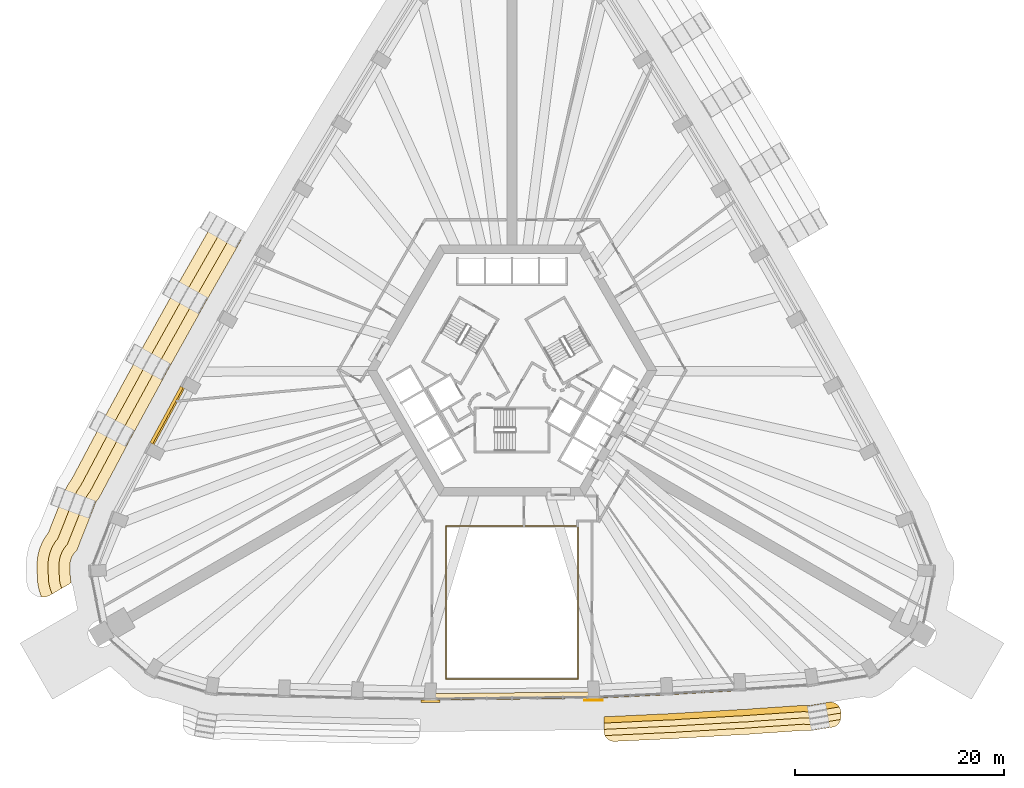
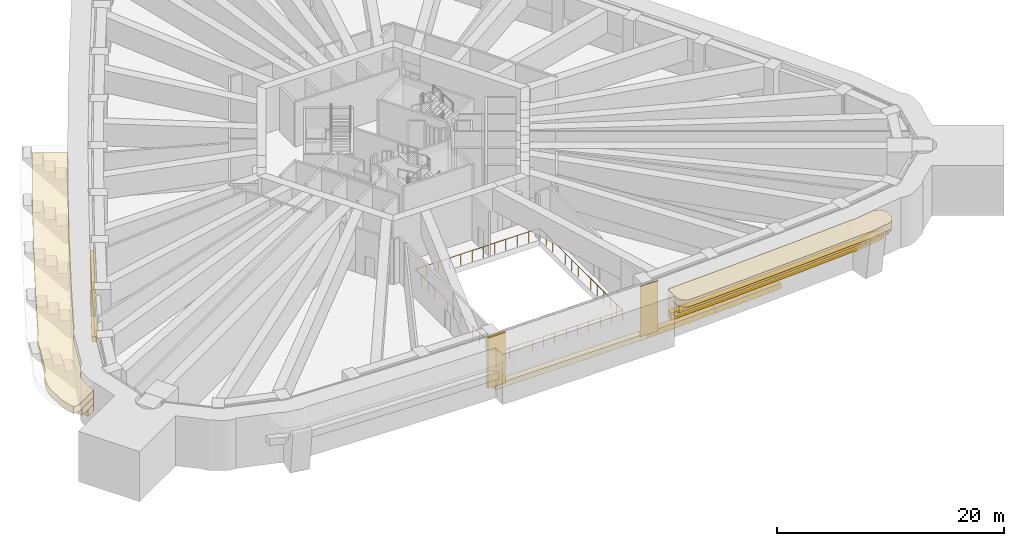
# One storey, part 17 of 22: 13 coverings, 1 railing, 1 shading device.
"""IFC4 building model written with IfcOpenShell, lengths in metres."""

from ifc_helpers import new_model, si_unit, direction, frame, origin, origin_2d, place, context, subcontext, project, spatial, polyline, rectangle, circle, outline, extrude, material, layer, layer_set, type_object, element, save


model = new_model("IFC4")

# Units and contexts
model_context = context("Model", 3, precision=1e-05, world=origin(), true_north=direction((0.0, 1.0)))
body_context = subcontext(model_context, "Body", "Model", "MODEL_VIEW")
ifc_project = project(units=[si_unit("LENGTHUNIT", "METRE"), si_unit("AREAUNIT", "SQUARE_METRE"), si_unit("VOLUMEUNIT", "CUBIC_METRE"), si_unit("PLANEANGLEUNIT", "RADIAN"), si_unit("MASSUNIT", "GRAM", prefix="KILO")], contexts=[model_context])

# Site, building, storey
site_placement = place(None, origin())
site = spatial("IfcSite", under=ifc_project, at=site_placement, CompositionType="ELEMENT")
building_placement = place(site_placement, origin())
building = spatial("IfcBuilding", under=site, at=building_placement, Name="Entoto Arch Interchange Tower", CompositionType="ELEMENT")
storey_placement = place(building_placement, frame((0.0, 0.0, 132.800048828125)))
storey = spatial("IfcBuildingStorey", under=building, at=storey_placement, Name="L29", CompositionType="ELEMENT", Elevation=132.800048828125)

# Railing
ifc_material_1 = material(Name="Stainless steel 1.4301", Category="steel")
railing_type = type_object("IfcRailingType", Name="ATRIUM GUARD 1200 STEEL AND GLASS", PredefinedType="GUARDRAIL", material=ifc_material_1)
railing_placement = place(storey_placement, frame((6.320068359375, -26.971923828125, 0.0)))
element("IfcRailing", 1, at=railing_placement, inside=storey, type_object=railing_type, Name="Atrium guard L29", PredefinedType="GUARDRAIL", context=body_context, shape_type="SweptSolid", body=[
    extrude(circle(Radius=0.02392578125, at=origin_2d()), frame((0.0, 0.0, 1.17578125), z_axis=(-1.0, 0.0, 0.0), x_axis=(0.0, -1.0, 0.0)), (0.0, 0.0, 1.0), 12.64013671875),
    extrude(circle(Radius=0.02392578125, at=origin_2d()), frame((-12.64013671875, 0.0, 1.17578125), z_axis=(0.0, 1.0, 0.0), x_axis=(-1.0, 0.0, 0.0)), (0.0, 0.0, 1.0), 14.592041015625),
    extrude(circle(Radius=0.02392578125, at=origin_2d()), frame((-12.64013671875, 14.592041015625, 1.17578125), z_axis=(1.0, 0.0, 0.0), x_axis=(0.0, 1.0, 0.0)), (0.0, 0.0, 1.0), 12.64013671875),
    extrude(circle(Radius=0.02392578125, at=origin_2d()), frame((0.0, 14.592041015625, 1.17578125), z_axis=(0.0, -1.0, 0.0), x_axis=(1.0, 0.0, 0.0)), (0.0, 0.0, 1.0), 14.592041015625),
    extrude(circle(Radius=0.02099609375, at=origin_2d()), origin(), (0.0, 0.0, 1.0), 1.15185546875),
    extrude(circle(Radius=0.02099609375, at=origin_2d()), frame((-1.149169921875, 0.0, 0.0)), (0.0, 0.0, 1.0), 1.15185546875),
    extrude(circle(Radius=0.02099609375, at=origin_2d()), frame((-2.298095703125, 0.0, 0.0)), (0.0, 0.0, 1.0), 1.15185546875),
    extrude(circle(Radius=0.02099609375, at=origin_2d()), frame((-3.447265625, 0.0, 0.0)), (0.0, 0.0, 1.0), 1.15185546875),
    extrude(circle(Radius=0.02099609375, at=origin_2d()), frame((-4.596435546875, 0.0, 0.0)), (0.0, 0.0, 1.0), 1.15185546875),
    extrude(circle(Radius=0.02099609375, at=origin_2d()), frame((-5.74560546875, 0.0, 0.0)), (0.0, 0.0, 1.0), 1.15185546875),
    extrude(circle(Radius=0.02099609375, at=origin_2d()), frame((-6.89453125, 0.0, 0.0)), (0.0, 0.0, 1.0), 1.15185546875),
    extrude(circle(Radius=0.02099609375, at=origin_2d()), frame((-8.043701171875, 0.0, 0.0)), (0.0, 0.0, 1.0), 1.15185546875),
    extrude(circle(Radius=0.02099609375, at=origin_2d()), frame((-9.19287109375, 0.0, 0.0)), (0.0, 0.0, 1.0), 1.15185546875),
    extrude(circle(Radius=0.02099609375, at=origin_2d()), frame((-10.342041015625, 0.0, 0.0)), (0.0, 0.0, 1.0), 1.15185546875),
    extrude(circle(Radius=0.02099609375, at=origin_2d()), frame((-11.490966796875, 0.0, 0.0)), (0.0, 0.0, 1.0), 1.15185546875),
    extrude(circle(Radius=0.02099609375, at=origin_2d()), frame((-12.64013671875, 0.0, 0.0)), (0.0, 0.0, 1.0), 1.15185546875),
    extrude(circle(Radius=0.02099609375, at=origin_2d()), frame((-12.64013671875, 1.12255859375, 0.0)), (0.0, 0.0, 1.0), 1.15185546875),
    extrude(circle(Radius=0.02099609375, at=origin_2d()), frame((-12.64013671875, 2.244873046875, 0.0)), (0.0, 0.0, 1.0), 1.15185546875),
    extrude(circle(Radius=0.02099609375, at=origin_2d()), frame((-12.64013671875, 3.367431640625, 0.0)), (0.0, 0.0, 1.0), 1.15185546875),
    extrude(circle(Radius=0.02099609375, at=origin_2d()), frame((-12.64013671875, 4.48974609375, 0.0)), (0.0, 0.0, 1.0), 1.15185546875),
    extrude(circle(Radius=0.02099609375, at=origin_2d()), frame((-12.64013671875, 5.6123046875, 0.0)), (0.0, 0.0, 1.0), 1.15185546875),
    extrude(circle(Radius=0.02099609375, at=origin_2d()), frame((-12.64013671875, 6.73486328125, 0.0)), (0.0, 0.0, 1.0), 1.15185546875),
    extrude(circle(Radius=0.02099609375, at=origin_2d()), frame((-12.64013671875, 7.857177734375, 0.0)), (0.0, 0.0, 1.0), 1.15185546875),
    extrude(circle(Radius=0.02099609375, at=origin_2d()), frame((-12.64013671875, 8.979736328125, 0.0)), (0.0, 0.0, 1.0), 1.15185546875),
    extrude(circle(Radius=0.02099609375, at=origin_2d()), frame((-12.64013671875, 10.102294921875, 0.0)), (0.0, 0.0, 1.0), 1.15185546875),
    extrude(circle(Radius=0.02099609375, at=origin_2d()), frame((-12.64013671875, 11.224609375, 0.0)), (0.0, 0.0, 1.0), 1.15185546875),
    extrude(circle(Radius=0.02099609375, at=origin_2d()), frame((-12.64013671875, 12.34716796875, 0.0)), (0.0, 0.0, 1.0), 1.15185546875),
    extrude(circle(Radius=0.02099609375, at=origin_2d()), frame((-12.64013671875, 13.469482421875, 0.0)), (0.0, 0.0, 1.0), 1.15185546875),
    extrude(circle(Radius=0.02099609375, at=origin_2d()), frame((-12.64013671875, 14.592041015625, 0.0)), (0.0, 0.0, 1.0), 1.15185546875),
    extrude(circle(Radius=0.02099609375, at=origin_2d()), frame((-11.490966796875, 14.592041015625, 0.0)), (0.0, 0.0, 1.0), 1.15185546875),
    extrude(circle(Radius=0.02099609375, at=origin_2d()), frame((-10.342041015625, 14.592041015625, 0.0)), (0.0, 0.0, 1.0), 1.15185546875),
    extrude(circle(Radius=0.02099609375, at=origin_2d()), frame((-9.19287109375, 14.592041015625, 0.0)), (0.0, 0.0, 1.0), 1.15185546875),
    extrude(circle(Radius=0.02099609375, at=origin_2d()), frame((-8.043701171875, 14.592041015625, 0.0)), (0.0, 0.0, 1.0), 1.15185546875),
    extrude(circle(Radius=0.02099609375, at=origin_2d()), frame((-6.89453125, 14.592041015625, 0.0)), (0.0, 0.0, 1.0), 1.15185546875),
    extrude(circle(Radius=0.02099609375, at=origin_2d()), frame((-5.74560546875, 14.592041015625, 0.0)), (0.0, 0.0, 1.0), 1.15185546875),
    extrude(circle(Radius=0.02099609375, at=origin_2d()), frame((-4.596435546875, 14.592041015625, 0.0)), (0.0, 0.0, 1.0), 1.15185546875),
    extrude(circle(Radius=0.02099609375, at=origin_2d()), frame((-3.447265625, 14.592041015625, 0.0)), (0.0, 0.0, 1.0), 1.15185546875),
    extrude(circle(Radius=0.02099609375, at=origin_2d()), frame((-2.298095703125, 14.592041015625, 0.0)), (0.0, 0.0, 1.0), 1.15185546875),
    extrude(circle(Radius=0.02099609375, at=origin_2d()), frame((-1.149169921875, 14.592041015625, 0.0)), (0.0, 0.0, 1.0), 1.15185546875),
    extrude(circle(Radius=0.02099609375, at=origin_2d()), frame((0.0, 14.592041015625, 0.0)), (0.0, 0.0, 1.0), 1.15185546875),
    extrude(circle(Radius=0.02099609375, at=origin_2d()), frame((0.0, 13.469482421875, 0.0)), (0.0, 0.0, 1.0), 1.15185546875),
    extrude(circle(Radius=0.02099609375, at=origin_2d()), frame((0.0, 12.34716796875, 0.0)), (0.0, 0.0, 1.0), 1.15185546875),
    extrude(circle(Radius=0.02099609375, at=origin_2d()), frame((0.0, 11.224609375, 0.0)), (0.0, 0.0, 1.0), 1.15185546875),
    extrude(circle(Radius=0.02099609375, at=origin_2d()), frame((0.0, 10.102294921875, 0.0)), (0.0, 0.0, 1.0), 1.15185546875),
    extrude(circle(Radius=0.02099609375, at=origin_2d()), frame((0.0, 8.979736328125, 0.0)), (0.0, 0.0, 1.0), 1.15185546875),
    extrude(circle(Radius=0.02099609375, at=origin_2d()), frame((0.0, 7.857177734375, 0.0)), (0.0, 0.0, 1.0), 1.15185546875),
    extrude(circle(Radius=0.02099609375, at=origin_2d()), frame((0.0, 6.73486328125, 0.0)), (0.0, 0.0, 1.0), 1.15185546875),
    extrude(circle(Radius=0.02099609375, at=origin_2d()), frame((0.0, 5.6123046875, 0.0)), (0.0, 0.0, 1.0), 1.15185546875),
    extrude(circle(Radius=0.02099609375, at=origin_2d()), frame((0.0, 4.48974609375, 0.0)), (0.0, 0.0, 1.0), 1.15185546875),
    extrude(circle(Radius=0.02099609375, at=origin_2d()), frame((0.0, 3.367431640625, 0.0)), (0.0, 0.0, 1.0), 1.15185546875),
    extrude(circle(Radius=0.02099609375, at=origin_2d()), frame((0.0, 2.244873046875, 0.0)), (0.0, 0.0, 1.0), 1.15185546875),
    extrude(circle(Radius=0.02099609375, at=origin_2d()), frame((0.0, 1.12255859375, 0.0)), (0.0, 0.0, 1.0), 1.15185546875),
])

# Shading device
ifc_material_2 = material(Name="Aluminium, anodised", Category="aluminium")
ifc_layer = layer(ifc_material_2, 0.300048828125)
ifc_layer_set = layer_set([ifc_layer], Name="Aluminium, anodised")
shading_device_type = type_object("IfcShadingDeviceType", Name="PLANT LOUVRE ALUMINIUM", PredefinedType="JALOUSIE", material=ifc_layer_set)
shading_device_placement = place(storey_placement, frame((-33.02001953125, -1.77001953125, 1.19970703125), z_axis=(0.0, 0.0, 1.0), x_axis=(-0.477664843409, -0.878542143196, 0.0)))
element("IfcShadingDevice", 2, at=shading_device_placement, inside=storey, type_object=shading_device_type, Name="Plant louvre NW-07 L29", PredefinedType="JALOUSIE", context=body_context, shape_type="SweptSolid", body=[
    extrude(rectangle(XDim=6.118896484375, YDim=0.300048828125, at=origin_2d()), origin(), (0.0, 0.0, 1.0), 2.800048828125),
])

# Coverings
ifc_material_3 = material(Name="Board-marked precast concrete C50/60", Category="concrete")
covering_type_1 = type_object("IfcCoveringType", Name="PRECAST FRAME COURSE", PredefinedType="CLADDING", material=ifc_material_3)
covering_1_placement = place(storey_placement, frame((0.0, 0.0, 4.050048828125)))
element("IfcCovering", 3, at=covering_1_placement, inside=storey, type_object=covering_type_1, Name="Cantilever cornice L29 1", PredefinedType="CLADDING", context=body_context, shape_type="SweptSolid", body=[
    extrude(outline(polyline([(30.681884765625, -29.22998046875), (30.77001953125, -29.2548828125), (30.85693359375, -29.2880859375), (30.93896484375, -29.3291015625), (31.01708984375, -29.3779296875), (31.091064453125, -29.43505859375), (31.157958984375, -29.498046875), (31.218994140625, -29.56689453125), (31.27294921875, -29.64208984375), (31.320068359375, -29.721923828125), (31.35791015625, -29.805908203125), (31.388916015625, -29.89306640625), (31.410888671875, -29.98193359375), (31.424072265625, -30.073974609375), (31.428955078125, -30.166015625), (31.428955078125, -30.652099609375), (31.424072265625, -30.7490234375), (31.408935546875, -30.843994140625), (31.385009765625, -30.93798828125), (31.35205078125, -31.029052734375), (31.31005859375, -31.114990234375), (31.259033203125, -31.197998046875), (31.199951171875, -31.27392578125), (31.134033203125, -31.344970703125), (31.06103515625, -31.407958984375), (30.98193359375, -31.464111328125), (30.89794921875, -31.510986328125), (30.80908203125, -31.550048828125), (30.717041015625, -31.580078125), (30.623046875, -31.60009765625), (29.781982421875, -31.737060546875), (29.47802734375, -31.785888671875), (29.47509765625, -31.787109375), (28.970947265625, -31.873046875), (28.970947265625, -31.873046875), (28.925048828125, -31.87890625), (28.5859375, -31.919921875), (28.491943359375, -31.927001953125), (28.402099609375, -31.928955078125), (28.174072265625, -31.93408203125), (28.080078125, -31.930908203125), (27.904052734375, -31.91796875), (27.8701171875, -31.9150390625), (27.8349609375, -31.91796875), (23.839111328125, -32.18701171875), (22.9970703125, -32.243896484375), (22.969970703125, -32.24609375), (22.94189453125, -32.2509765625), (22.930908203125, -32.251953125), (22.85107421875, -32.262939453125), (22.510986328125, -32.2919921875), (22.464111328125, -32.294921875), (21.989013671875, -32.31201171875), (21.98388671875, -32.31201171875), (21.97900390625, -32.31201171875), (21.40087890625, -32.344970703125), (15.967041015625, -32.657958984375), (15.93994140625, -32.658935546875), (15.9130859375, -32.6640625), (15.903076171875, -32.6650390625), (15.81005859375, -32.677001953125), (15.468994140625, -32.701904296875), (15.422119140625, -32.7041015625), (14.950927734375, -32.715087890625), (14.946044921875, -32.716064453125), (14.93994140625, -32.716064453125), (9.805908203125, -32.9609375), (9.708984375, -32.9609375), (9.612060546875, -32.950927734375), (9.51708984375, -32.930908203125), (9.425048828125, -32.902099609375), (9.3349609375, -32.863037109375), (9.2509765625, -32.81591796875), (9.1708984375, -32.760009765625), (9.097900390625, -32.697021484375), (9.031005859375, -32.6259765625), (8.970947265625, -32.550048828125), (8.919921875, -32.467041015625), (8.8779296875, -32.3798828125), (8.843994140625, -32.2890625), (8.820068359375, -32.195068359375), (8.804931640625, -32.09912109375), (8.800048828125, -32.001953125), (8.800048828125, -30.631103515625), (8.800048828125, -30.60595703125), (14.860107421875, -30.31689453125), (15.387939453125, -30.303955078125), (15.56396484375, -30.291015625), (15.69091796875, -30.26904296875), (21.873046875, -29.9140625), (22.402099609375, -29.89501953125), (22.577880859375, -29.881103515625), (22.695068359375, -29.85888671875), (27.924072265625, -29.506103515625), (28.01611328125, -29.52197265625), (28.193115234375, -29.535888671875), (28.368896484375, -29.531982421875), (28.544921875, -29.510986328125), (29.080078125, -29.419921875), (30.31396484375, -29.218017578125), (30.406005859375, -29.2080078125), (30.4990234375, -29.2060546875), (30.591064453125, -29.214111328125), (30.681884765625, -29.22998046875)])), origin(), (0.0, 0.0, 1.0), 0.75),
])
covering_2_placement = place(storey_placement, frame((0.0, 0.0, 3.300048828125)))
element("IfcCovering", 4, at=covering_2_placement, inside=storey, type_object=covering_type_1, Name="Cantilever cornice L29 2", PredefinedType="CLADDING", context=body_context, shape_type="SweptSolid", body=[
    extrude(outline(polyline([(30.681884765625, -29.22998046875), (30.77001953125, -29.2548828125), (30.85693359375, -29.2880859375), (30.93896484375, -29.3291015625), (31.01708984375, -29.3779296875), (31.091064453125, -29.43505859375), (31.157958984375, -29.498046875), (31.218994140625, -29.56689453125), (31.27294921875, -29.64208984375), (31.320068359375, -29.721923828125), (31.35791015625, -29.805908203125), (31.388916015625, -29.89306640625), (31.410888671875, -29.98193359375), (31.424072265625, -30.073974609375), (31.428955078125, -30.166015625), (31.428955078125, -30.652099609375), (31.424072265625, -30.7490234375), (31.408935546875, -30.843994140625), (31.404052734375, -30.864990234375), (29.3759765625, -31.195068359375), (28.846923828125, -31.284912109375), (28.49609375, -31.326904296875), (28.14306640625, -31.3349609375), (27.867919921875, -31.31396484375), (22.90087890625, -31.64892578125), (22.818115234375, -31.6640625), (22.466064453125, -31.694091796875), (21.9560546875, -31.7119140625), (15.876953125, -32.06201171875), (15.783935546875, -32.077880859375), (15.430908203125, -32.10400390625), (14.924072265625, -32.115966796875), (8.888916015625, -32.404052734375), (8.8779296875, -32.3798828125), (8.843994140625, -32.2890625), (8.820068359375, -32.195068359375), (8.804931640625, -32.09912109375), (8.800048828125, -32.001953125), (8.800048828125, -30.631103515625), (8.800048828125, -30.60595703125), (14.860107421875, -30.31689453125), (15.387939453125, -30.303955078125), (15.56396484375, -30.291015625), (15.69091796875, -30.26904296875), (21.873046875, -29.9140625), (22.402099609375, -29.89501953125), (22.577880859375, -29.881103515625), (22.695068359375, -29.85888671875), (27.924072265625, -29.506103515625), (28.01611328125, -29.52197265625), (28.193115234375, -29.535888671875), (28.368896484375, -29.531982421875), (28.544921875, -29.510986328125), (29.080078125, -29.419921875), (30.31396484375, -29.218017578125), (30.406005859375, -29.2080078125), (30.4990234375, -29.2060546875), (30.591064453125, -29.214111328125), (30.681884765625, -29.22998046875)])), origin(), (0.0, 0.0, 1.0), 0.75),
])
covering_3_placement = place(storey_placement, frame((0.0, 0.0, 2.550048828125)))
element("IfcCovering", 5, at=covering_3_placement, inside=storey, type_object=covering_type_1, Name="Cantilever cornice L29 3", PredefinedType="CLADDING", context=body_context, shape_type="SweptSolid", body=[
    extrude(outline(polyline([(30.681884765625, -29.22998046875), (30.77001953125, -29.2548828125), (30.85693359375, -29.2880859375), (30.93896484375, -29.3291015625), (31.01708984375, -29.3779296875), (31.091064453125, -29.43505859375), (31.157958984375, -29.498046875), (31.218994140625, -29.56689453125), (31.27294921875, -29.64208984375), (31.320068359375, -29.721923828125), (31.35791015625, -29.805908203125), (31.388916015625, -29.89306640625), (31.410888671875, -29.98193359375), (31.424072265625, -30.073974609375), (31.428955078125, -30.166015625), (31.428955078125, -30.2529296875), (29.277099609375, -30.60302734375), (28.74609375, -30.694091796875), (28.4541015625, -30.72900390625), (28.159912109375, -30.735107421875), (27.865966796875, -30.712890625), (27.865966796875, -30.712890625), (22.83203125, -31.052001953125), (22.738037109375, -31.070068359375), (22.445068359375, -31.094970703125), (21.927978515625, -31.113037109375), (15.81494140625, -31.464111328125), (15.7109375, -31.48193359375), (15.4169921875, -31.50390625), (14.903076171875, -31.51611328125), (8.81591796875, -31.806884765625), (8.800048828125, -31.80908203125), (8.800048828125, -30.631103515625), (8.800048828125, -30.60595703125), (14.860107421875, -30.31689453125), (15.387939453125, -30.303955078125), (15.56396484375, -30.291015625), (15.69091796875, -30.26904296875), (21.873046875, -29.9140625), (22.402099609375, -29.89501953125), (22.577880859375, -29.881103515625), (22.695068359375, -29.85888671875), (27.924072265625, -29.506103515625), (28.01611328125, -29.52197265625), (28.193115234375, -29.535888671875), (28.368896484375, -29.531982421875), (28.544921875, -29.510986328125), (29.080078125, -29.419921875), (30.31396484375, -29.218017578125), (30.406005859375, -29.2080078125), (30.4990234375, -29.2060546875), (30.591064453125, -29.214111328125), (30.681884765625, -29.22998046875)])), origin(), (0.0, 0.0, 1.0), 0.75),
])
covering_4_placement = place(storey_placement, frame((0.0, 0.0, 1.800048828125)))
element("IfcCovering", 6, at=covering_4_placement, inside=storey, type_object=covering_type_1, Name="Cantilever cornice L29 4", PredefinedType="CLADDING", context=body_context, shape_type="SweptSolid", body=[
    extrude(outline(polyline([(30.681884765625, -29.22998046875), (30.77001953125, -29.2548828125), (30.85693359375, -29.2880859375), (30.93896484375, -29.3291015625), (31.01708984375, -29.3779296875), (31.091064453125, -29.43505859375), (31.157958984375, -29.498046875), (31.218994140625, -29.56689453125), (31.27294921875, -29.64208984375), (31.2880859375, -29.66796875), (29.178955078125, -30.010986328125), (28.64501953125, -30.10205078125), (28.412109375, -30.1298828125), (28.176025390625, -30.135986328125), (27.94091796875, -30.117919921875), (27.89501953125, -30.10888671875), (22.763916015625, -30.4560546875), (22.657958984375, -30.47509765625), (22.424072265625, -30.4951171875), (21.89990234375, -30.513916015625), (15.7529296875, -30.866943359375), (15.636962890625, -30.886962890625), (15.403076171875, -30.904052734375), (14.881103515625, -30.9169921875), (8.800048828125, -31.20703125), (8.800048828125, -30.631103515625), (8.800048828125, -30.60595703125), (14.860107421875, -30.31689453125), (15.387939453125, -30.303955078125), (15.56396484375, -30.291015625), (15.69091796875, -30.26904296875), (21.873046875, -29.9140625), (22.402099609375, -29.89501953125), (22.577880859375, -29.881103515625), (22.695068359375, -29.85888671875), (27.924072265625, -29.506103515625), (28.01611328125, -29.52197265625), (28.193115234375, -29.535888671875), (28.368896484375, -29.531982421875), (28.544921875, -29.510986328125), (29.080078125, -29.419921875), (30.31396484375, -29.218017578125), (30.406005859375, -29.2080078125), (30.4990234375, -29.2060546875), (30.591064453125, -29.214111328125), (30.681884765625, -29.22998046875)])), origin(), (0.0, 0.0, 1.0), 0.75),
])
covering_5_placement = place(storey_placement, frame((0.0, 0.0, 3.300048828125)))
element("IfcCovering", 7, at=covering_5_placement, inside=storey, type_object=covering_type_1, Name="Cantilever cornice nw-L29 2", PredefinedType="CLADDING", context=body_context, shape_type="SweptSolid", body=[
    extrude(outline(polyline([(-42.2880859375, -17.89208984375), (-42.406005859375, -17.968017578125), (-44.14208984375, -18.969970703125), (-44.27001953125, -19.035888671875), (-44.404052734375, -19.090087890625), (-44.54296875, -19.1298828125), (-44.68505859375, -19.156982421875), (-44.827880859375, -19.169921875), (-44.972900390625, -19.1689453125), (-44.98095703125, -19.16796875), (-45.001953125, -19.06396484375), (-45.123046875, -18.748046875), (-45.251953125, -18.280029296875), (-45.3349609375, -17.801025390625), (-45.3701171875, -17.31689453125), (-45.39599609375, -16.217041015625), (-45.383056640625, -15.73095703125), (-45.322998046875, -15.2490234375), (-45.216064453125, -14.77490234375), (-45.06298828125, -14.31396484375), (-44.865966796875, -13.8701171875), (-44.6259765625, -13.447998046875), (-44.345947265625, -13.051025390625), (-44.31689453125, -13.01806640625), (-42.990966796875, -9.678955078125), (-42.820068359375, -9.218017578125), (-42.62890625, -8.77099609375), (-42.39501953125, -8.344970703125), (-42.12109375, -7.945068359375), (-42.093994140625, -7.9130859375), (-39.508056640625, -3.0400390625), (-39.5048828125, -3.031982421875), (-38.989013671875, -2.06103515625), (-38.964111328125, -2.01611328125), (-36.044921875, 3.342041015625), (-36.033935546875, 3.363037109375), (-35.507080078125, 4.3291015625), (-35.486083984375, 4.366943359375), (-32.51708984375, 9.68603515625), (-32.498046875, 9.72412109375), (-31.958984375, 10.68310546875), (-31.94189453125, 10.714111328125), (-28.925048828125, 15.993896484375), (-28.89697265625, 16.049072265625), (-28.657958984375, 16.4619140625), (-28.636962890625, 16.458984375), (-28.4951171875, 16.41796875), (-28.35693359375, 16.364013671875), (-28.22607421875, 16.2958984375), (-25.89404296875, 14.949951171875), (-26.1689453125, 14.47412109375), (-26.197021484375, 14.41796875), (-29.2060546875, 9.15087890625), (-29.212890625, 9.139892578125), (-29.751953125, 8.180908203125), (-29.77099609375, 8.14306640625), (-32.735107421875, 2.83203125), (-32.742919921875, 2.818115234375), (-33.27001953125, 1.85302734375), (-33.281005859375, 1.8310546875), (-36.197998046875, -3.52294921875), (-36.20703125, -3.5400390625), (-36.72412109375, -4.510986328125), (-36.72705078125, -4.51806640625), (-39.468017578125, -9.68408203125), (-39.498046875, -9.714111328125), (-39.612060546875, -9.84912109375), (-39.7119140625, -9.9951171875), (-39.797119140625, -10.14990234375), (-39.865966796875, -10.31201171875), (-40.050048828125, -10.80810546875), (-41.60595703125, -14.72509765625), (-41.62109375, -14.737060546875), (-41.7490234375, -14.85791015625), (-41.864990234375, -14.991943359375), (-41.966064453125, -15.135986328125), (-42.053955078125, -15.2900390625), (-42.125, -15.450927734375), (-42.180908203125, -15.618896484375), (-42.219970703125, -15.791015625), (-42.241943359375, -15.967041015625), (-42.24609375, -16.14306640625), (-42.220947265625, -17.242919921875), (-42.2080078125, -17.4189453125), (-42.177978515625, -17.593017578125), (-42.131103515625, -17.762939453125), (-42.117919921875, -17.798095703125), (-42.132080078125, -17.76611328125), (-42.177978515625, -17.805908203125), (-42.2880859375, -17.89208984375)])), origin(), (0.0, 0.0, 1.0), 0.75),
])
covering_6_placement = place(storey_placement, frame((0.0, 0.0, 2.550048828125)))
element("IfcCovering", 8, at=covering_6_placement, inside=storey, type_object=covering_type_1, Name="Cantilever cornice nw-L29 3", PredefinedType="CLADDING", context=body_context, shape_type="SweptSolid", body=[
    extrude(outline(polyline([(-42.2880859375, -17.89208984375), (-42.406005859375, -17.968017578125), (-43.969970703125, -18.87109375), (-43.988037109375, -18.778076171875), (-43.988037109375, -18.777099609375), (-44.1259765625, -18.419921875), (-44.22705078125, -18.051025390625), (-44.2919921875, -17.674072265625), (-44.320068359375, -17.2919921875), (-44.345947265625, -16.19189453125), (-44.3359375, -15.81005859375), (-44.2890625, -15.429931640625), (-44.2041015625, -15.056884765625), (-44.083984375, -14.693115234375), (-43.927978515625, -14.343994140625), (-43.739013671875, -14.010986328125), (-43.51904296875, -13.697998046875), (-43.405029296875, -13.56689453125), (-42.010009765625, -10.055908203125), (-41.8349609375, -9.5830078125), (-41.68505859375, -9.23095703125), (-41.5009765625, -8.89501953125), (-41.284912109375, -8.5791015625), (-41.216064453125, -8.498046875), (-38.5810546875, -3.531982421875), (-38.577880859375, -3.52490234375), (-38.06201171875, -2.553955078125), (-38.0419921875, -2.51806640625), (-35.1240234375, 2.837890625), (-35.113037109375, 2.860107421875), (-34.5849609375, 3.824951171875), (-34.569091796875, 3.85498046875), (-31.60107421875, 9.172119140625), (-31.58203125, 9.2099609375), (-31.0439453125, 10.1689453125), (-31.030029296875, 10.193115234375), (-28.01611328125, 15.468017578125), (-27.988037109375, 15.52392578125), (-27.712890625, 16.0), (-25.89404296875, 14.949951171875), (-26.1689453125, 14.47412109375), (-26.197021484375, 14.41796875), (-29.2060546875, 9.15087890625), (-29.212890625, 9.139892578125), (-29.751953125, 8.180908203125), (-29.77099609375, 8.14306640625), (-32.735107421875, 2.83203125), (-32.742919921875, 2.818115234375), (-33.27001953125, 1.85302734375), (-33.281005859375, 1.8310546875), (-36.197998046875, -3.52294921875), (-36.20703125, -3.5400390625), (-36.72412109375, -4.510986328125), (-36.72705078125, -4.51806640625), (-39.468017578125, -9.68408203125), (-39.498046875, -9.714111328125), (-39.612060546875, -9.84912109375), (-39.7119140625, -9.9951171875), (-39.797119140625, -10.14990234375), (-39.865966796875, -10.31201171875), (-40.050048828125, -10.80810546875), (-41.60595703125, -14.72509765625), (-41.62109375, -14.737060546875), (-41.7490234375, -14.85791015625), (-41.864990234375, -14.991943359375), (-41.966064453125, -15.135986328125), (-42.053955078125, -15.2900390625), (-42.125, -15.450927734375), (-42.180908203125, -15.618896484375), (-42.219970703125, -15.791015625), (-42.241943359375, -15.967041015625), (-42.24609375, -16.14306640625), (-42.220947265625, -17.242919921875), (-42.2080078125, -17.4189453125), (-42.177978515625, -17.593017578125), (-42.131103515625, -17.762939453125), (-42.117919921875, -17.798095703125), (-42.132080078125, -17.76611328125), (-42.177978515625, -17.805908203125), (-42.2880859375, -17.89208984375)])), origin(), (0.0, 0.0, 1.0), 0.75),
])
covering_7_placement = place(storey_placement, frame((0.0, 0.0, 1.800048828125)))
element("IfcCovering", 9, at=covering_7_placement, inside=storey, type_object=covering_type_1, Name="Cantilever cornice nw-L29 4", PredefinedType="CLADDING", context=body_context, shape_type="SweptSolid", body=[
    extrude(outline(polyline([(-42.2880859375, -17.89208984375), (-42.406005859375, -17.968017578125), (-43.035888671875, -18.33203125), (-43.1279296875, -18.092041015625), (-43.202880859375, -17.822021484375), (-43.25, -17.5458984375), (-43.27001953125, -17.26708984375), (-43.2958984375, -16.16796875), (-43.2890625, -15.887939453125), (-43.25390625, -15.611083984375), (-43.193115234375, -15.337890625), (-43.10498046875, -15.072021484375), (-42.990966796875, -14.81689453125), (-42.85302734375, -14.573974609375), (-42.69189453125, -14.344970703125), (-42.509033203125, -14.134033203125), (-42.49609375, -14.12109375), (-41.030029296875, -10.431884765625), (-40.85107421875, -9.947021484375), (-40.740966796875, -9.68994140625), (-40.60595703125, -9.445068359375), (-40.447998046875, -9.214111328125), (-40.3369140625, -9.08203125), (-37.654052734375, -4.02490234375), (-37.65087890625, -4.01806640625), (-37.134033203125, -3.047119140625), (-37.1201171875, -3.02099609375), (-34.201904296875, 2.333984375), (-34.19189453125, 2.35595703125), (-33.6640625, 3.322021484375), (-33.652099609375, 3.343994140625), (-30.68603515625, 8.657958984375), (-30.6669921875, 8.696044921875), (-30.1279296875, 9.655029296875), (-30.117919921875, 9.672119140625), (-27.10693359375, 14.943115234375), (-27.077880859375, 14.9990234375), (-26.802978515625, 15.47509765625), (-25.89404296875, 14.949951171875), (-26.1689453125, 14.47412109375), (-26.197021484375, 14.41796875), (-29.2060546875, 9.15087890625), (-29.212890625, 9.139892578125), (-29.751953125, 8.180908203125), (-29.77099609375, 8.14306640625), (-32.735107421875, 2.83203125), (-32.742919921875, 2.818115234375), (-33.27001953125, 1.85302734375), (-33.281005859375, 1.8310546875), (-36.197998046875, -3.52294921875), (-36.20703125, -3.5400390625), (-36.72412109375, -4.510986328125), (-36.72705078125, -4.51806640625), (-39.468017578125, -9.68408203125), (-39.498046875, -9.714111328125), (-39.612060546875, -9.84912109375), (-39.7119140625, -9.9951171875), (-39.797119140625, -10.14990234375), (-39.865966796875, -10.31201171875), (-40.050048828125, -10.80810546875), (-41.60595703125, -14.72509765625), (-41.62109375, -14.737060546875), (-41.7490234375, -14.85791015625), (-41.864990234375, -14.991943359375), (-41.966064453125, -15.135986328125), (-42.053955078125, -15.2900390625), (-42.125, -15.450927734375), (-42.180908203125, -15.618896484375), (-42.219970703125, -15.791015625), (-42.241943359375, -15.967041015625), (-42.24609375, -16.14306640625), (-42.220947265625, -17.242919921875), (-42.2080078125, -17.4189453125), (-42.177978515625, -17.593017578125), (-42.131103515625, -17.762939453125), (-42.117919921875, -17.798095703125), (-42.132080078125, -17.76611328125), (-42.177978515625, -17.805908203125), (-42.2880859375, -17.89208984375)])), origin(), (0.0, 0.0, 1.0), 0.75),
])
covering_8_placement = place(storey_placement, frame((0.0, 0.0, -0.60009765625)))
element("IfcCovering", 10, at=covering_8_placement, inside=storey, type_object=covering_type_1, Name="Gate pier L29", PredefinedType="CLADDING", context=body_context, shape_type="SweptSolid", body=[
    extrude(outline(polyline([(-8.69189453125, -29.0009765625), (-6.89208984375, -29.0009765625), (-6.89208984375, -29.22509765625), (-8.69189453125, -29.22509765625), (-8.69189453125, -29.0009765625)])), origin(), (0.0, 0.0, 1.0), 5.400146484375),
])
covering_9_placement = place(storey_placement, frame((0.0, 0.0, -0.60009765625)))
element("IfcCovering", 11, at=covering_9_placement, inside=storey, type_object=covering_type_1, Name="Gate pier L29", PredefinedType="CLADDING", context=body_context, shape_type="SweptSolid", body=[
    extrude(outline(polyline([(6.89208984375, -29.0009765625), (8.69189453125, -29.0009765625), (8.69189453125, -29.052001953125), (6.89208984375, -29.052001953125), (6.89208984375, -29.0009765625)])), origin(), (0.0, 0.0, 1.0), 5.400146484375),
])
covering_type_2 = type_object("IfcCoveringType", Name="PRECAST LEDGE COURSE", PredefinedType="CLADDING", material=ifc_material_3)
covering_10_placement = place(storey_placement, frame((0.0, 0.0, -1.199951171875)))
element("IfcCovering", 12, at=covering_10_placement, inside=storey, type_object=covering_type_2, Name="Precast course S-04 L29", PredefinedType="CLADDING", context=body_context, shape_type="SweptSolid", body=[
    extrude(outline(polyline([(7.800048828125, -28.22509765625), (7.800048828125, -28.85205078125), (-7.800048828125, -29.02490234375), (-7.800048828125, -28.39794921875), (7.800048828125, -28.22509765625)])), origin(), (0.0, 0.0, 1.0), 0.599853515625),
])
covering_11_placement = place(storey_placement, frame((0.0, 0.0, -1.199951171875)))
element("IfcCovering", 13, at=covering_11_placement, inside=storey, type_object=covering_type_2, Name="Precast course S-05 L29", PredefinedType="CLADDING", context=body_context, shape_type="SweptSolid", body=[
    extrude(outline(polyline([(14.794921875, -27.886962890625), (14.794921875, -28.51806640625), (7.800048828125, -28.85205078125), (7.800048828125, -28.22509765625), (14.794921875, -27.886962890625)])), origin(), (0.0, 0.0, 1.0), 0.599853515625),
])
covering_12_placement = place(storey_placement, frame((0.0, 0.0, -1.199951171875)))
element("IfcCovering", 14, at=covering_12_placement, inside=storey, type_object=covering_type_2, Name="Precast course S-06 L29", PredefinedType="CLADDING", context=body_context, shape_type="SweptSolid", body=[
    extrude(outline(polyline([(21.7890625, -27.47802734375), (21.7890625, -28.115966796875), (14.794921875, -28.51806640625), (14.794921875, -27.886962890625), (21.7890625, -27.47802734375)])), origin(), (0.0, 0.0, 1.0), 0.599853515625),
])
covering_13_placement = place(storey_placement, frame((0.0, 0.0, -1.199951171875)))
element("IfcCovering", 15, at=covering_13_placement, inside=storey, type_object=covering_type_2, Name="Precast course NW-07 L29", PredefinedType="CLADDING", context=body_context, shape_type="SweptSolid", body=[
    extrude(outline(polyline([(-34.468994140625, -5.0869140625), (-34.8759765625, -4.8701171875), (-31.427001953125, 1.471923828125), (-31.028076171875, 1.25390625), (-34.468994140625, -5.0869140625)])), origin(), (0.0, 0.0, 1.0), 0.599853515625),
])

save(model, "model.ifc")
